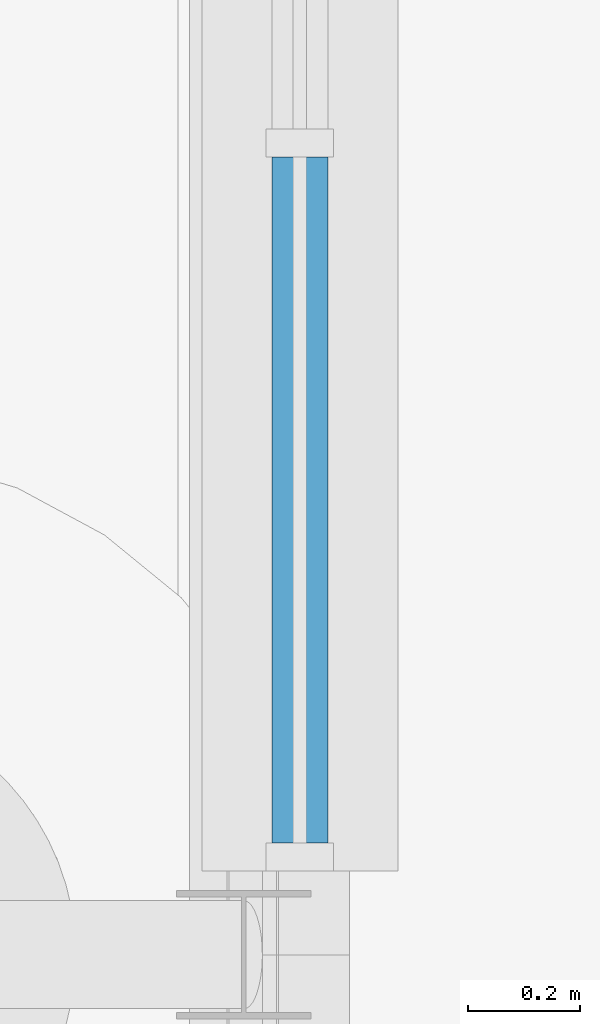
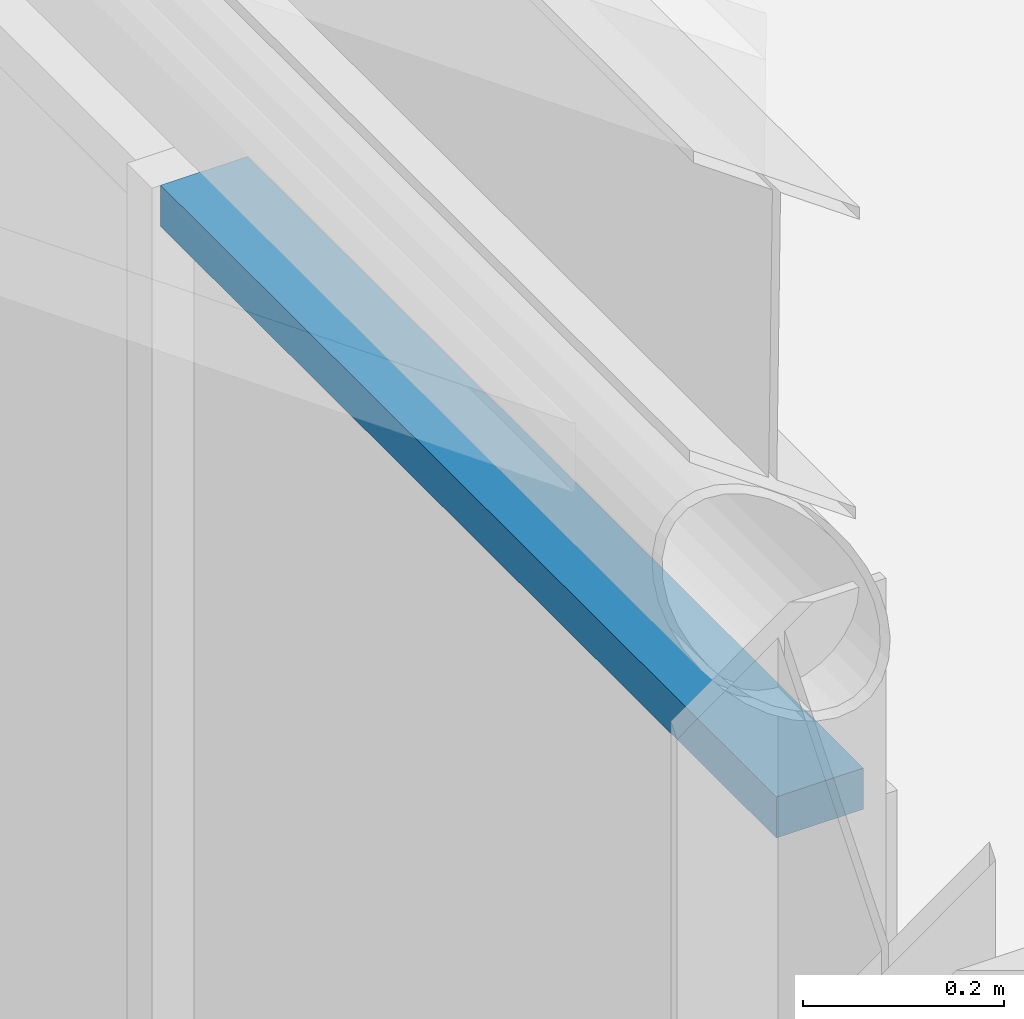
# One storey, part 65 of 222: 1 member, 1 element without a shape of its own.
"""IFC4 building model written with IfcOpenShell, lengths in metres."""

from ifc_helpers import new_model, si_unit, direction, frame, origin, origin_2d, place, context, subcontext, project, spatial, rectangle, extrude, material, material_profile, profile_set, type_object, element, aggregate, save


model = new_model("IFC4")

# Units and contexts
model_context = context("Model", 3, precision=1e-05, world=origin(), true_north=direction((0.0, 1.0)))
body_context = subcontext(model_context, "Body", "Model", "MODEL_VIEW")
ifc_project = project(units=[si_unit("LENGTHUNIT", "METRE"), si_unit("AREAUNIT", "SQUARE_METRE"), si_unit("VOLUMEUNIT", "CUBIC_METRE"), si_unit("PLANEANGLEUNIT", "RADIAN"), si_unit("MASSUNIT", "GRAM", prefix="KILO")], contexts=[model_context])

# Site, building, storey
site_placement = place(None, origin())
site = spatial("IfcSite", under=ifc_project, at=site_placement, CompositionType="ELEMENT")
building_placement = place(site_placement, origin())
building = spatial("IfcBuilding", under=site, at=building_placement, Name="Sava Quay Ferry Terminal", CompositionType="ELEMENT")
storey_placement = place(building_placement, origin())
storey = spatial("IfcBuildingStorey", under=building, at=storey_placement, Name="L00", CompositionType="ELEMENT", Elevation=0.0)

# Curtain wall, member
ifc_material_1 = material(Name="Aluminium and glass curtain wall, double glazed", Category="aluminium")
curtain_wall_type = type_object("IfcCurtainWallType", Name="Curtain wall CW-B gallery", PredefinedType="NOTDEFINED", material=ifc_material_1)
curtain_wall_placement = place(storey_placement, origin())
curtain_wall = element("IfcCurtainWall", 1, at=curtain_wall_placement, inside=storey, type_object=curtain_wall_type, Name="Curtain wall B1-E L00 bay 5", PredefinedType="NOTDEFINED")
ifc_material_2 = material(Name="Aluminium EN AW-6063 T6", Category="aluminium")
ifc_material_profile = material_profile(ifc_material_2, rectangle(XDim=0.10009765625, YDim=0.050048828125, at=origin_2d()), Name="Transom 50x100 aluminium")
ifc_profile_set = profile_set([ifc_material_profile], Name="Aluminium EN AW-6063 T6")
member_type = type_object("IfcMemberType", Name="Transom 50x100 aluminium", PredefinedType="USERDEFINED", material=ifc_profile_set)
member_placement = place(storey_placement, frame((50.5, 126.199951171875, 4.175048828125), z_axis=(0.0, 1.0, 0.0), x_axis=(-1.0, 0.0, 0.0)))
member = element("IfcMember", 2, at=member_placement, type_object=member_type, Name="CW5 transom 1.3", ObjectType="TRANSOM", PredefinedType="USERDEFINED", context=body_context, shape_type="SweptSolid", body=[
    extrude(rectangle(XDim=0.10009765625, YDim=0.050048828125, at=origin_2d()), origin(), (0.0, 0.0, 1.0), 1.22509765625),
])
aggregate(curtain_wall, [member])

save(model, "model.ifc")
